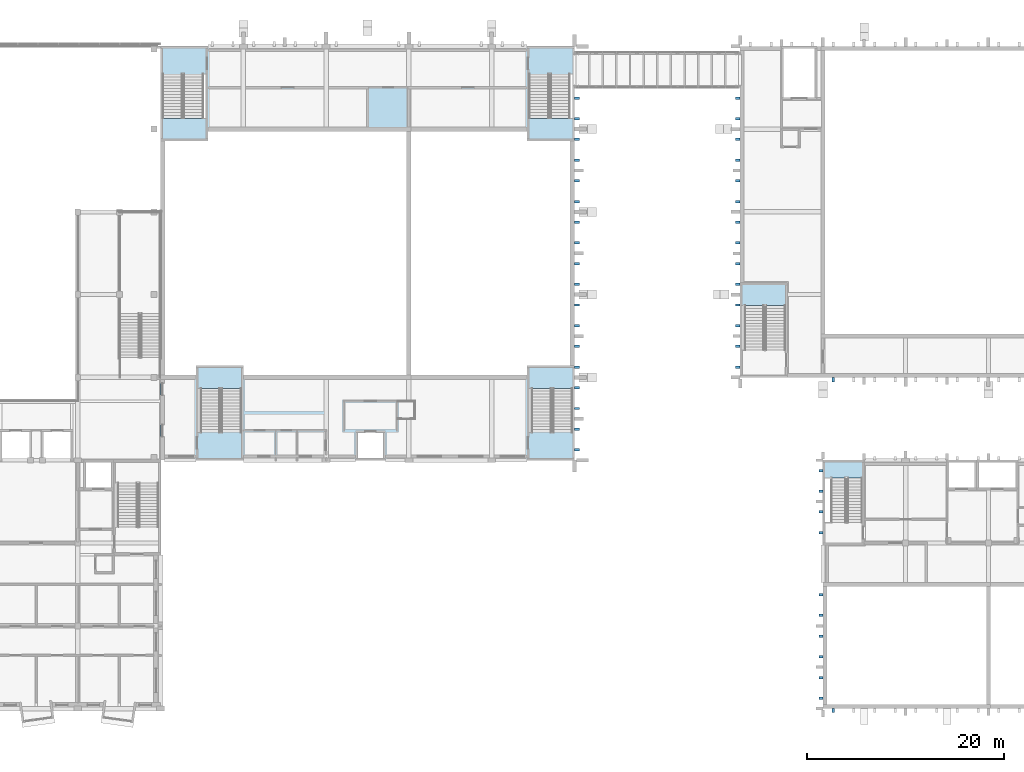
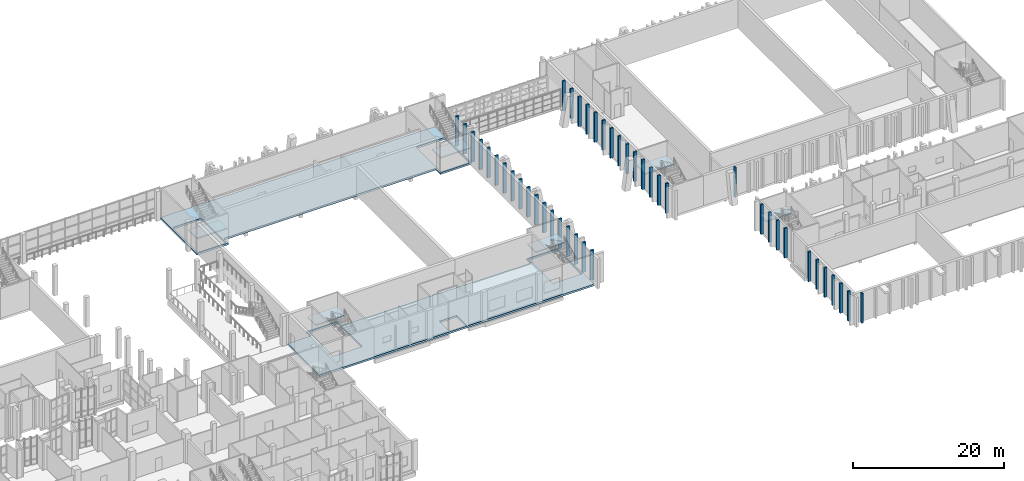
# One storey, part 24 of 91: 44 plates, 8 slabs, 6 elements without a shape of their own.
"""IFC4 building model written with IfcOpenShell, lengths in metres."""

from ifc_helpers import new_model, si_unit, direction, frame, origin, origin_2d, place, context, subcontext, project, spatial, polyline, rectangle, outline, extrude, material, layer, layer_set, type_object, element, aggregate, save


model = new_model("IFC4")

# Units and contexts
model_context = context("Model", 3, precision=1e-05, world=origin(), true_north=direction((0.0, 1.0)))
body_context = subcontext(model_context, "Body", "Model", "MODEL_VIEW")
ifc_project = project(units=[si_unit("LENGTHUNIT", "METRE"), si_unit("AREAUNIT", "SQUARE_METRE"), si_unit("VOLUMEUNIT", "CUBIC_METRE"), si_unit("PLANEANGLEUNIT", "RADIAN"), si_unit("MASSUNIT", "GRAM", prefix="KILO")], contexts=[model_context])

# Site, building, storey
site_placement = place(None, origin())
site = spatial("IfcSite", under=ifc_project, at=site_placement, CompositionType="ELEMENT")
building_placement = place(site_placement, origin())
building = spatial("IfcBuilding", under=site, at=building_placement, Name="Kiln Court Media Centre", CompositionType="ELEMENT")
storey_placement = place(building_placement, frame((0.0, 0.0, 5.39990234375)))
storey = spatial("IfcBuildingStorey", under=building, at=storey_placement, Name="L01", CompositionType="ELEMENT", Elevation=5.39990234375)

# Slabs
ifc_material_1 = material(Name="Concrete C30/37", Category="concrete")
ifc_layer_1 = layer(ifc_material_1, 0.300048828125)
ifc_layer_set_1 = layer_set([ifc_layer_1], Name="Concrete C30/37 floor slab 300")
slab_type_1 = type_object("IfcSlabType", Name="Concrete C30/37 floor slab 300", PredefinedType="FLOOR", material=ifc_layer_set_1)
slab_1_placement = place(storey_placement, frame((0.0, 0.0, -0.2998046875)))
element("IfcSlab", 1, at=slab_1_placement, inside=storey, type_object=slab_type_1, Name="L01-SL-1005", PredefinedType="FLOOR", context=body_context, shape_type="SweptSolid", body=[
    extrude(outline(polyline([(58.800048828125, 25.199951171875), (58.800048828125, 33.60009765625), (62.39990234375, 33.60009765625), (62.39990234375, 34.800048828125), (67.199951171875, 34.800048828125), (67.199951171875, 33.60009765625), (96.0, 33.60009765625), (96.0, 34.800048828125), (100.800048828125, 34.800048828125), (100.800048828125, 25.199951171875), (58.800048828125, 25.199951171875)]), holes=[polyline([(78.800048828125, 25.39990234375), (81.39990234375, 25.39990234375), (81.39990234375, 28.0), (78.800048828125, 28.0), (78.800048828125, 25.39990234375)]), polyline([(62.60009765625, 28.0400390625), (67.0, 28.0400390625), (67.0, 34.60009765625), (62.60009765625, 34.60009765625), (62.60009765625, 28.0400390625)]), polyline([(96.199951171875, 28.0400390625), (100.60009765625, 28.0400390625), (100.60009765625, 34.60009765625), (96.199951171875, 34.60009765625), (96.199951171875, 28.0400390625)])]), origin(), (0.0, 0.0, 1.0), 0.2998046875),
])
slab_2_placement = place(storey_placement, frame((0.0, 0.0, -0.2998046875)))
element("IfcSlab", 2, at=slab_2_placement, inside=storey, type_object=slab_type_1, Name="L01-SL-1006", PredefinedType="FLOOR", context=body_context, shape_type="SweptSolid", body=[
    extrude(outline(polyline([(58.800048828125, 57.60009765625), (58.800048828125, 67.199951171875), (100.800048828125, 67.199951171875), (100.800048828125, 57.60009765625), (96.0, 57.60009765625), (96.0, 58.800048828125), (63.60009765625, 58.800048828125), (63.60009765625, 57.60009765625), (58.800048828125, 57.60009765625)]), holes=[polyline([(59.0, 57.800048828125), (63.39990234375, 57.800048828125), (63.39990234375, 64.360107421875), (59.0, 64.360107421875), (59.0, 57.800048828125)]), polyline([(96.199951171875, 57.800048828125), (100.60009765625, 57.800048828125), (100.60009765625, 64.360107421875), (96.199951171875, 64.360107421875), (96.199951171875, 57.800048828125)])]), origin(), (0.0, 0.0, 1.0), 0.2998046875),
])

# Plates
ifc_material_2 = material(Name="Concrete C40/50", Category="concrete")
ifc_layer_2 = layer(ifc_material_2, 0.25)
ifc_layer_set_2 = layer_set([ifc_layer_2], Name="Concrete C40/50 shading fin 250")
plate_type = type_object("IfcPlateType", Name="Concrete C40/50 shading fin 250", PredefinedType="SHEET", material=ifc_layer_set_2)
for number, where, z_axis, x_axis, name in (
    (3, (101.050048828125, 26.25, 0.0), (0.0, 0.0, 1.0), (1.0, 0.0, 0.0), "V1 E fin L01"),
    (4, (101.050048828125, 28.35009765625, 0.0), (0.0, 0.0, 1.0), (1.0, 0.0, 0.0), "V1 E fin L01"),
    (5, (101.050048828125, 30.449951171875, 0.0), (0.0, 0.0, 1.0), (1.0, 0.0, 0.0), "V1 E fin L01"),
    (6, (101.050048828125, 32.550048828125, 0.0), (0.0, 0.0, 1.0), (1.0, 0.0, 0.0), "V1 E fin L01"),
    (7, (101.050048828125, 34.64990234375, 0.0), (0.0, 0.0, 1.0), (1.0, 0.0, 0.0), "V1 E fin L01"),
    (8, (101.050048828125, 36.75, 0.0), (0.0, 0.0, 1.0), (1.0, 0.0, 0.0), "V1 E fin L01"),
    (9, (101.050048828125, 38.85009765625, 0.0), (0.0, 0.0, 1.0), (1.0, 0.0, 0.0), "V1 E fin L01"),
    (10, (101.050048828125, 40.949951171875, 0.0), (0.0, 0.0, 1.0), (1.0, 0.0, 0.0), "V1 E fin L01"),
    (11, (101.050048828125, 43.050048828125, 0.0), (0.0, 0.0, 1.0), (1.0, 0.0, 0.0), "V1 E fin L01"),
    (12, (101.050048828125, 45.14990234375, 0.0), (0.0, 0.0, 1.0), (1.0, 0.0, 0.0), "V1 E fin L01"),
    (13, (101.050048828125, 47.25, 0.0), (0.0, 0.0, 1.0), (1.0, 0.0, 0.0), "V1 E fin L01"),
    (14, (101.050048828125, 49.35009765625, 0.0), (0.0, 0.0, 1.0), (1.0, 0.0, 0.0), "V1 E fin L01"),
    (15, (101.050048828125, 51.449951171875, 0.0), (0.0, 0.0, 1.0), (1.0, 0.0, 0.0), "V1 E fin L01"),
    (16, (101.050048828125, 53.550048828125, 0.0), (0.0, 0.0, 1.0), (1.0, 0.0, 0.0), "V1 E fin L01"),
    (17, (101.050048828125, 55.64990234375, 0.0), (0.0, 0.0, 1.0), (1.0, 0.0, 0.0), "V1 E fin L01"),
    (18, (101.050048828125, 57.75, 0.0), (0.0, 0.0, 1.0), (1.0, 0.0, 0.0), "V1 E fin L01"),
    (19, (101.050048828125, 59.85009765625, 0.0), (0.0, 0.0, 1.0), (1.0, 0.0, 0.0), "V1 E fin L01"),
    (20, (101.050048828125, 61.949951171875, 0.0), (0.0, 0.0, 1.0), (1.0, 0.0, 0.0), "V1 E fin L01"),
):
    element("IfcPlate", number, at=place(storey_placement, frame(where, z_axis=z_axis, x_axis=x_axis)), inside=storey, type_object=plate_type, Name=name, PredefinedType="SHEET", context=body_context, shape_type="SweptSolid", body=[
        extrude(rectangle(XDim=0.5, YDim=0.25, at=origin_2d()), origin(), (0.0, 0.0, 1.0), 4.800048828125),
    ])
plate_1_placement = place(storey_placement, frame((127.050048828125, 33.375, 0.0), z_axis=(0.0, 0.0, 1.0), x_axis=(1.0, 0.0, 0.0)))
element("IfcPlate", 21, at=plate_1_placement, inside=storey, type_object=plate_type, Name="V2 S fin L01", PredefinedType="SHEET", context=body_context, shape_type="SweptSolid", body=[
    extrude(rectangle(XDim=0.25, YDim=0.449951171875, at=origin_2d()), origin(), (0.0, 0.0, 1.0), 4.800048828125),
])
for number, where, z_axis, x_axis, name in (
    (22, (117.375, 34.64990234375, 0.0), (0.0, 0.0, 1.0), (1.0, 0.0, 0.0), "V2 W fin L01"),
    (23, (117.375, 36.75, 0.0), (0.0, 0.0, 1.0), (1.0, 0.0, 0.0), "V2 W fin L01"),
    (24, (117.375, 38.85009765625, 0.0), (0.0, 0.0, 1.0), (1.0, 0.0, 0.0), "V2 W fin L01"),
    (25, (117.375, 40.949951171875, 0.0), (0.0, 0.0, 1.0), (1.0, 0.0, 0.0), "V2 W fin L01"),
    (26, (117.375, 43.050048828125, 0.0), (0.0, 0.0, 1.0), (1.0, 0.0, 0.0), "V2 W fin L01"),
    (27, (117.375, 45.14990234375, 0.0), (0.0, 0.0, 1.0), (1.0, 0.0, 0.0), "V2 W fin L01"),
    (28, (117.375, 47.25, 0.0), (0.0, 0.0, 1.0), (1.0, 0.0, 0.0), "V2 W fin L01"),
    (29, (117.375, 49.35009765625, 0.0), (0.0, 0.0, 1.0), (1.0, 0.0, 0.0), "V2 W fin L01"),
    (30, (117.375, 51.449951171875, 0.0), (0.0, 0.0, 1.0), (1.0, 0.0, 0.0), "V2 W fin L01"),
    (31, (117.375, 53.550048828125, 0.0), (0.0, 0.0, 1.0), (1.0, 0.0, 0.0), "V2 W fin L01"),
    (32, (117.375, 55.64990234375, 0.0), (0.0, 0.0, 1.0), (1.0, 0.0, 0.0), "V2 W fin L01"),
    (33, (117.375, 57.75, 0.0), (0.0, 0.0, 1.0), (1.0, 0.0, 0.0), "V2 W fin L01"),
    (34, (117.375, 59.85009765625, 0.0), (0.0, 0.0, 1.0), (1.0, 0.0, 0.0), "V2 W fin L01"),
    (35, (117.375, 61.949951171875, 0.0), (0.0, 0.0, 1.0), (1.0, 0.0, 0.0), "V2 W fin L01"),
):
    element("IfcPlate", number, at=place(storey_placement, frame(where, z_axis=z_axis, x_axis=x_axis)), inside=storey, type_object=plate_type, Name=name, PredefinedType="SHEET", context=body_context, shape_type="SweptSolid", body=[
        extrude(rectangle(XDim=0.449951171875, YDim=0.25, at=origin_2d()), origin(), (0.0, 0.0, 1.0), 4.800048828125),
    ])
plate_2_placement = place(storey_placement, frame((127.050048828125, -0.199951171875, 0.0), z_axis=(0.0, 0.0, 1.0), x_axis=(1.0, 0.0, 0.0)))
element("IfcPlate", 36, at=plate_2_placement, inside=storey, type_object=plate_type, Name="V5 S fin L01", PredefinedType="SHEET", context=body_context, shape_type="SweptSolid", body=[
    extrude(rectangle(XDim=0.25, YDim=0.39990234375, at=origin_2d()), origin(), (0.0, 0.0, 1.0), 4.800048828125),
])
for number, where, z_axis, x_axis, name in (
    (37, (125.800048828125, 1.050048828125, 0.0), (0.0, 0.0, 1.0), (1.0, 0.0, 0.0), "V5 W fin L01"),
    (38, (125.800048828125, 3.14990234375, 0.0), (0.0, 0.0, 1.0), (1.0, 0.0, 0.0), "V5 W fin L01"),
    (39, (125.800048828125, 5.25, 0.0), (0.0, 0.0, 1.0), (1.0, 0.0, 0.0), "V5 W fin L01"),
    (40, (125.800048828125, 7.35009765625, 0.0), (0.0, 0.0, 1.0), (1.0, 0.0, 0.0), "V5 W fin L01"),
    (41, (125.800048828125, 9.449951171875, 0.0), (0.0, 0.0, 1.0), (1.0, 0.0, 0.0), "V5 W fin L01"),
    (42, (125.800048828125, 11.550048828125, 0.0), (0.0, 0.0, 1.0), (1.0, 0.0, 0.0), "V5 W fin L01"),
    (43, (125.800048828125, 17.85009765625, 0.0), (0.0, 0.0, 1.0), (1.0, 0.0, 0.0), "V5 W fin L01"),
    (44, (125.800048828125, 19.949951171875, 0.0), (0.0, 0.0, 1.0), (1.0, 0.0, 0.0), "V5 W fin L01"),
    (45, (125.800048828125, 22.050048828125, 0.0), (0.0, 0.0, 1.0), (1.0, 0.0, 0.0), "V5 W fin L01"),
    (46, (125.800048828125, 24.14990234375, 0.0), (0.0, 0.0, 1.0), (1.0, 0.0, 0.0), "V5 W fin L01"),
):
    element("IfcPlate", number, at=place(storey_placement, frame(where, z_axis=z_axis, x_axis=x_axis)), inside=storey, type_object=plate_type, Name=name, PredefinedType="SHEET", context=body_context, shape_type="SweptSolid", body=[
        extrude(rectangle(XDim=0.39990234375, YDim=0.25, at=origin_2d()), origin(), (0.0, 0.0, 1.0), 4.800048828125),
    ])

# Stair, slab
ifc_material_3 = material(Name="Concrete C40/50", Category="concrete")
stair_type_1 = type_object("IfcStairType", Name="Concrete C40/50 dog-leg stair 2000 wide, 150 riser", PredefinedType="HALF_TURN_STAIR", material=ifc_material_3)
stair_1_placement = place(storey_placement, origin())
stair_1 = element("IfcStair", 47, at=stair_1_placement, inside=storey, type_object=stair_type_1, Name="ST-09 L01", PredefinedType="HALF_TURN_STAIR")
ifc_material_4 = material(Name="Concrete C40/50", Category="concrete")
ifc_layer_3 = layer(ifc_material_4, 0.199951171875)
ifc_layer_set_3 = layer_set([ifc_layer_3], Name="Concrete C40/50 stair landing 200")
slab_type_2 = type_object("IfcSlabType", Name="Concrete C40/50 stair landing 200", PredefinedType="LANDING", material=ifc_layer_set_3)
slab_3_placement = place(storey_placement, frame((0.0, 0.0, 2.2001953125)))
slab_3 = element("IfcSlab", 48, at=slab_3_placement, type_object=slab_type_2, Name="L01-ST-5008 landing 5008", PredefinedType="LANDING", context=body_context, shape_type="SweptSolid", body=[
    extrude(outline(polyline([(67.1201171875, 32.5), (67.1201171875, 34.719970703125), (62.47998046875, 34.719970703125), (62.47998046875, 32.5), (67.1201171875, 32.5)])), origin(), (0.0, 0.0, 1.0), 0.199951171875),
])
aggregate(stair_1, [slab_3])

stair_2_placement = place(storey_placement, origin())
stair_2 = element("IfcStair", 49, at=stair_2_placement, inside=storey, type_object=stair_type_1, Name="ST-10 L01", PredefinedType="HALF_TURN_STAIR")
slab_4_placement = place(storey_placement, frame((0.0, 0.0, 2.2001953125)))
slab_4 = element("IfcSlab", 50, at=slab_4_placement, type_object=slab_type_2, Name="L01-ST-5009 landing 5009", PredefinedType="LANDING", context=body_context, shape_type="SweptSolid", body=[
    extrude(outline(polyline([(100.719970703125, 32.5), (100.719970703125, 34.719970703125), (96.080078125, 34.719970703125), (96.080078125, 32.5), (100.719970703125, 32.5)])), origin(), (0.0, 0.0, 1.0), 0.199951171875),
])
aggregate(stair_2, [slab_4])

stair_3_placement = place(storey_placement, origin())
stair_3 = element("IfcStair", 51, at=stair_3_placement, inside=storey, type_object=stair_type_1, Name="ST-11 L01", PredefinedType="HALF_TURN_STAIR")
slab_5_placement = place(storey_placement, frame((0.0, 0.0, 2.2001953125)))
slab_5 = element("IfcSlab", 52, at=slab_5_placement, type_object=slab_type_2, Name="L01-ST-5010 landing 5010", PredefinedType="LANDING", context=body_context, shape_type="SweptSolid", body=[
    extrude(outline(polyline([(58.8798828125, 59.89990234375), (58.8798828125, 57.679931640625), (63.52001953125, 57.679931640625), (63.52001953125, 59.89990234375), (58.8798828125, 59.89990234375)])), origin(), (0.0, 0.0, 1.0), 0.199951171875),
])
aggregate(stair_3, [slab_5])

stair_4_placement = place(storey_placement, origin())
stair_4 = element("IfcStair", 53, at=stair_4_placement, inside=storey, type_object=stair_type_1, Name="ST-12 L01", PredefinedType="HALF_TURN_STAIR")
slab_6_placement = place(storey_placement, frame((0.0, 0.0, 2.2001953125)))
slab_6 = element("IfcSlab", 54, at=slab_6_placement, type_object=slab_type_2, Name="L01-ST-5011 landing 5011", PredefinedType="LANDING", context=body_context, shape_type="SweptSolid", body=[
    extrude(outline(polyline([(96.080078125, 59.89990234375), (96.080078125, 57.679931640625), (100.719970703125, 57.679931640625), (100.719970703125, 59.89990234375), (96.080078125, 59.89990234375)])), origin(), (0.0, 0.0, 1.0), 0.199951171875),
])
aggregate(stair_4, [slab_6])

stair_5_placement = place(storey_placement, origin())
stair_5 = element("IfcStair", 55, at=stair_5_placement, inside=storey, type_object=stair_type_1, Name="ST-13 L01", PredefinedType="HALF_TURN_STAIR")
slab_7_placement = place(storey_placement, frame((0.0, 0.0, 2.2001953125)))
slab_7 = element("IfcSlab", 56, at=slab_7_placement, type_object=slab_type_2, Name="L01-ST-5012 landing 5012", PredefinedType="LANDING", context=body_context, shape_type="SweptSolid", body=[
    extrude(outline(polyline([(122.320068359375, 40.89990234375), (122.320068359375, 43.1201171875), (117.679931640625, 43.1201171875), (117.679931640625, 40.89990234375), (122.320068359375, 40.89990234375)])), origin(), (0.0, 0.0, 1.0), 0.199951171875),
])
aggregate(stair_5, [slab_7])

ifc_material_5 = material(Name="Concrete C40/50", Category="concrete")
stair_type_2 = type_object("IfcStairType", Name="Concrete C40/50 dog-leg stair 1500 wide, 150 riser", PredefinedType="HALF_TURN_STAIR", material=ifc_material_5)
stair_6_placement = place(storey_placement, origin())
stair_6 = element("IfcStair", 57, at=stair_6_placement, inside=storey, type_object=stair_type_2, Name="ST-16 L01", PredefinedType="HALF_TURN_STAIR")
slab_8_placement = place(storey_placement, frame((0.0, 0.0, 2.2001953125)))
slab_8 = element("IfcSlab", 58, at=slab_8_placement, type_object=slab_type_2, Name="L01-ST-5015 landing 5015", PredefinedType="LANDING", context=body_context, shape_type="SweptSolid", body=[
    extrude(outline(polyline([(130.1201171875, 23.39990234375), (130.1201171875, 25.1201171875), (126.080078125, 25.1201171875), (126.080078125, 23.39990234375), (130.1201171875, 23.39990234375)])), origin(), (0.0, 0.0, 1.0), 0.199951171875),
])
aggregate(stair_6, [slab_8])

save(model, "model.ifc")
